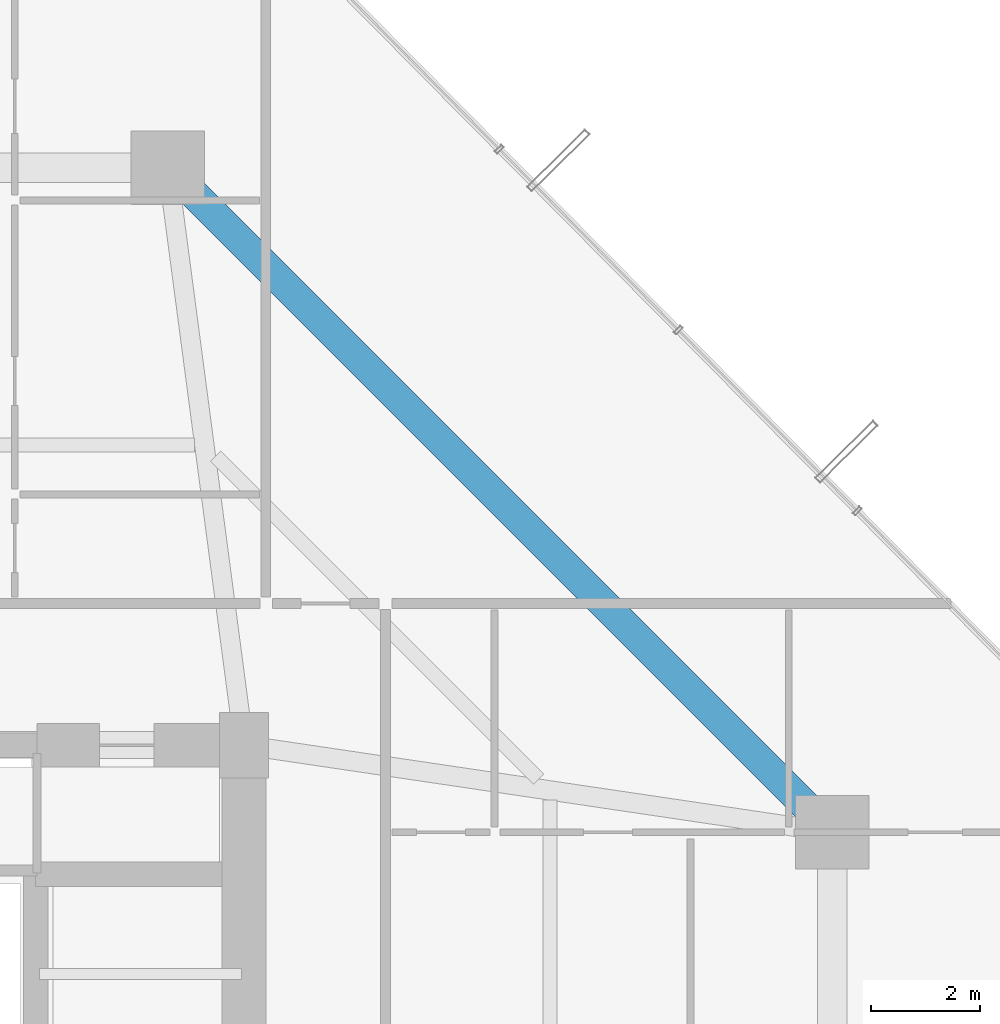
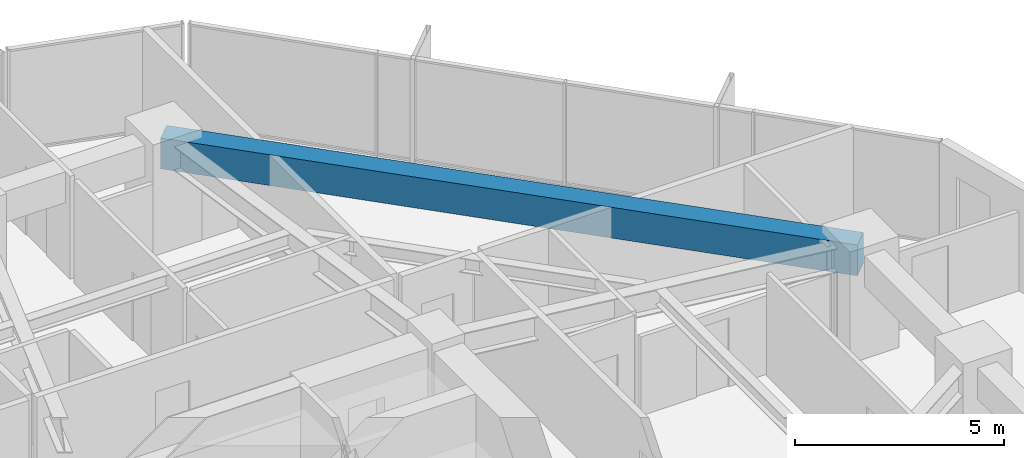
# One storey, part 29 of 39: 1 beam.
"""IFC4 building model written with IfcOpenShell, lengths in metres."""

import ifcopenshell
import ifcopenshell.guid

model = None  # the IFC model being written
_history = None  # IfcOwnerHistory: only IFC2X3 demands one
_inside = {}  # id of a spatial element -> (the spatial element, [elements in it])
_under = {}  # id of a project, library or spatial element -> (it, [spatial elements below it])
_declared = {}  # id of a project -> (the project, [libraries it declares])
_typed = {}  # id of a type object -> (the type object, [elements of that type])
_made_of = {}  # id of a material, layer set ... -> (it, [elements and type objects made of it])


def new_model(schema):
    """Start an empty IFC model of exactly this schema.

    Asked for "IFC4X3", IfcOpenShell would pick the latest addendum, in which some entities
    have other attributes; the version numbers below select the first issue.
    IFC2X3 requires an IfcOwnerHistory on every rooted entity: one is made here for all.
    """
    global model, _history
    if schema == "IFC4X3":
        model = ifcopenshell.file(schema_version=(4, 3, 0, 0))
    else:
        model = ifcopenshell.file(schema=schema)
    _inside.clear()
    _under.clear()
    _declared.clear()
    _typed.clear()
    _made_of.clear()
    _history = None
    if model.schema == "IFC2X3":
        org = make("IfcOrganization", Name="unknown")
        user = make(
            "IfcPersonAndOrganization",
            ThePerson=make("IfcPerson", FamilyName="unknown"),
            TheOrganization=org,
        )
        app = make(
            "IfcApplication",
            ApplicationDeveloper=org,
            Version="unknown",
            ApplicationFullName="unknown",
            ApplicationIdentifier="unknown",
        )
        _history = make(
            "IfcOwnerHistory",
            OwningUser=user,
            OwningApplication=app,
            ChangeAction="ADDED",
            CreationDate=0,
        )
    return model


def make(cls, **values):
    """One entity of the class cls with the attributes given. An attribute that is None is left unset."""
    return model.create_entity(
        cls, **{name: value for name, value in values.items() if value is not None}
    )


def rooted(cls, **values):
    """An entity with a GlobalId (a new one), such as an element, a storey or a relation."""
    return make(cls, GlobalId=ifcopenshell.guid.new(), OwnerHistory=_history, **values)


def si_unit(unit_type, name, prefix=None):
    """IfcSIUnit, for example si_unit("LENGTHUNIT", "METRE", prefix="MILLI")."""
    return make("IfcSIUnit", UnitType=unit_type, Prefix=prefix, Name=name)


def assignment(units):
    """IfcUnitAssignment: the units of a project."""
    return None if units is None else make("IfcUnitAssignment", Units=units)


def point(xyz):
    """IfcCartesianPoint."""
    return None if xyz is None else make("IfcCartesianPoint", Coordinates=xyz)


def direction(xyz):
    """IfcDirection."""
    return None if xyz is None else make("IfcDirection", DirectionRatios=xyz)


def frame(location, z_axis=None, x_axis=None):
    """IfcAxis2Placement3D, a coordinate frame: its origin and axes. An axis left out is left unset."""
    return make(
        "IfcAxis2Placement3D",
        Location=point(location),
        Axis=direction(z_axis),
        RefDirection=direction(x_axis),
    )


def frame_2d(location, x_axis=None):
    """IfcAxis2Placement2D, a coordinate frame in the plane: its origin and x axis."""
    return make(
        "IfcAxis2Placement2D", Location=point(location), RefDirection=direction(x_axis)
    )


def origin():
    """The frame at (0, 0, 0) with its axes left unset."""
    return frame((0.0, 0.0, 0.0))


def origin_2d():
    """The frame at (0, 0) in the plane with its x axis left unset."""
    return frame_2d((0.0, 0.0))


def place(relative_to, where):
    """IfcLocalPlacement: puts the frame where relative to a parent placement (None: the world)."""
    return make(
        "IfcLocalPlacement", PlacementRelTo=relative_to, RelativePlacement=where
    )


def context(
    kind, dimensions, precision=None, world=None, true_north=None, identifier=None
):
    """IfcGeometricRepresentationContext, for example the 3D "Model" context."""
    return make(
        "IfcGeometricRepresentationContext",
        ContextIdentifier=identifier,
        ContextType=kind,
        CoordinateSpaceDimension=dimensions,
        Precision=precision,
        WorldCoordinateSystem=world,
        TrueNorth=true_north,
    )


def subcontext(parent, identifier, kind, view, scale=None):
    """IfcGeometricRepresentationSubContext, for example "Body" below "Model"."""
    return make(
        "IfcGeometricRepresentationSubContext",
        ContextIdentifier=identifier,
        ContextType=kind,
        ParentContext=parent,
        TargetScale=scale,
        TargetView=view,
    )


def project(units=None, contexts=None):
    """IfcProject with its units and contexts."""
    return rooted(
        "IfcProject",
        Name="project",
        RepresentationContexts=contexts,
        UnitsInContext=assignment(units),
    )


def spatial(cls, under=None, at=None, **own):
    """A site, building, storey or space (cls), placed at a placement, below another one or the project."""
    s = rooted(cls, ObjectPlacement=at, **own)
    if under is not None:
        _under.setdefault(under.id(), (under, []))[1].append(s)
    return s


def profile(cls, at=None, kind="AREA", **sizes):
    """A parametric profile (cls). Its sizes go by their IFC names, for example OverallWidth=200.0."""
    return make(cls, ProfileType=kind, Position=at, **sizes)


def rectangle(**sizes):
    """IfcRectangleProfileDef."""
    return profile("IfcRectangleProfileDef", **sizes)


def extrude(swept, where, along, depth):
    """IfcExtrudedAreaSolid: the profile swept, set in the frame where, extruded along a direction by depth."""
    return make(
        "IfcExtrudedAreaSolid",
        SweptArea=swept,
        Position=where,
        ExtrudedDirection=direction(along),
        Depth=depth,
    )


def shape(context_of_items, identifier, shape_type, items):
    """IfcShapeRepresentation: the items that make up one representation, for example the "Body"."""
    return make(
        "IfcShapeRepresentation",
        ContextOfItems=context_of_items,
        RepresentationIdentifier=identifier,
        RepresentationType=shape_type,
        Items=items,
    )


def material(Name=None, Category=None):
    """IfcMaterial."""
    return make("IfcMaterial", Name=Name, Category=Category)


def material_profile(
    of_material, cross_section, Name=None, Category=None, Priority=None
):
    """IfcMaterialProfile: a cross section and its material."""
    return make(
        "IfcMaterialProfile",
        Name=Name,
        Material=of_material,
        Profile=cross_section,
        Priority=Priority,
        Category=Category,
    )


def profile_set(profiles, Name=None, composite=None):
    """IfcMaterialProfileSet."""
    return make(
        "IfcMaterialProfileSet",
        Name=Name,
        MaterialProfiles=profiles,
        CompositeProfile=composite,
    )


def made_of(thing, what):
    """Note that an element or type object is made of a material, layer set ...; save() writes the relation."""
    if what is not None:
        _made_of.setdefault(what.id(), (what, []))[1].append(thing)
    return thing


def type_object(cls, material=None, **own):
    """A type object (cls), such as IfcWallType, which elements share."""
    return made_of(rooted(cls, **own), material)


def element(
    cls,
    number,
    at=None,
    inside=None,
    cuts=None,
    type_object=None,
    material=None,
    context=None,
    identifier="Body",
    shape_type=None,
    held_by="IfcProductDefinitionShape",
    body=None,
    shapes=None,
    **own,
):
    """One element of the class cls, such as IfcWall. Its Tag is "e" and its number.

    at: its placement. inside: the storey or other place that contains it. cuts: it is an
    opening in that element (IfcRelVoidsElement). A single representation is given by context,
    identifier, shape_type and body (its items); several are given by shapes. held_by: the class
    of the entity that holds the representations. save() writes the other relations.
    """
    e = rooted(cls, Tag="e%d" % number, ObjectPlacement=at, **own)
    if body is not None:
        shapes = [shape(context, identifier, shape_type, body)]
    if shapes is not None:
        e.Representation = make(held_by, Representations=shapes)
    if inside is not None:
        _inside.setdefault(inside.id(), (inside, []))[1].append(e)
    if cuts is not None:
        rooted(
            "IfcRelVoidsElement", RelatingBuildingElement=cuts, RelatedOpeningElement=e
        )
    if type_object is not None:
        _typed.setdefault(type_object.id(), (type_object, []))[1].append(e)
    return made_of(e, material)


def aggregate(whole, parts):
    """IfcRelAggregates: a whole, such as a stair, and the parts it consists of."""
    return rooted("IfcRelAggregates", RelatingObject=whole, RelatedObjects=parts)


def save(model, path):
    """Write the relations noted so far, then the file.

    IfcRelAggregates (storeys below a building ...), IfcRelContainedInSpatialStructure (elements
    in a storey), IfcRelDefinesByType, IfcRelAssociatesMaterial and IfcRelDeclares: one each for
    every whole, place, type object, material and project.
    """
    for whole, parts in _under.values():
        aggregate(whole, parts)
    for where, things in _inside.values():
        rooted(
            "IfcRelContainedInSpatialStructure",
            RelatedElements=things,
            RelatingStructure=where,
        )
    for kind, things in _typed.values():
        rooted("IfcRelDefinesByType", RelatedObjects=things, RelatingType=kind)
    for what, things in _made_of.values():
        rooted("IfcRelAssociatesMaterial", RelatedObjects=things, RelatingMaterial=what)
    for by, libraries in _declared.values():
        rooted("IfcRelDeclares", RelatingContext=by, RelatedDefinitions=libraries)
    model.write(path)


model = new_model("IFC4")

# Units and contexts
model_context = context("Model", 3, precision=1e-05, world=origin(), true_north=direction((0.0, 1.0)))
body_context = subcontext(model_context, "Body", "Model", "MODEL_VIEW")
ifc_project = project(units=[si_unit("LENGTHUNIT", "METRE"), si_unit("AREAUNIT", "SQUARE_METRE"), si_unit("VOLUMEUNIT", "CUBIC_METRE"), si_unit("PLANEANGLEUNIT", "RADIAN"), si_unit("MASSUNIT", "GRAM", prefix="KILO")], contexts=[model_context])

# Site, building, storey
site_placement = place(None, origin())
site = spatial("IfcSite", under=ifc_project, at=site_placement, CompositionType="ELEMENT")
building_placement = place(site_placement, origin())
building = spatial("IfcBuilding", under=site, at=building_placement, Name="Veraguas Prism Commons", CompositionType="ELEMENT")
storey_placement = place(building_placement, frame((0.0, 0.0, 73.85009765625)))
storey = spatial("IfcBuildingStorey", under=building, at=storey_placement, Name="L20", CompositionType="ELEMENT", Elevation=73.85009765625)

# Beam
ifc_material = material(Name="Concrete C50/60", Category="concrete")
ifc_material_profile = material_profile(ifc_material, rectangle(XDim=0.550048828125, YDim=0.89990234375, at=origin_2d()), Name="RC550X900")
ifc_profile_set = profile_set([ifc_material_profile], Name="Concrete C50/60")
beam_type = type_object("IfcBeamType", Name="Perimeter Spandrel Lower RC 550x900", PredefinedType="SPANDREL", material=ifc_profile_set)
beam_placement = place(storey_placement, frame((41.60009765625, 29.39990234375, 2.5498046875), z_axis=(-0.707106781187, 0.707106781187, 0.0), x_axis=(-0.707106781187, -0.707106781187, 0.0)))
element("IfcBeam", 1, at=beam_placement, inside=storey, type_object=beam_type, Name="Perimeter Spandrel Beam L20-SP03", PredefinedType="SPANDREL", context=body_context, shape_type="SweptSolid", body=[
    extrude(rectangle(XDim=0.550048828125, YDim=0.89990234375, at=origin_2d()), origin(), (0.0, 0.0, 1.0), 17.253662109375),
])

save(model, "model.ifc")
